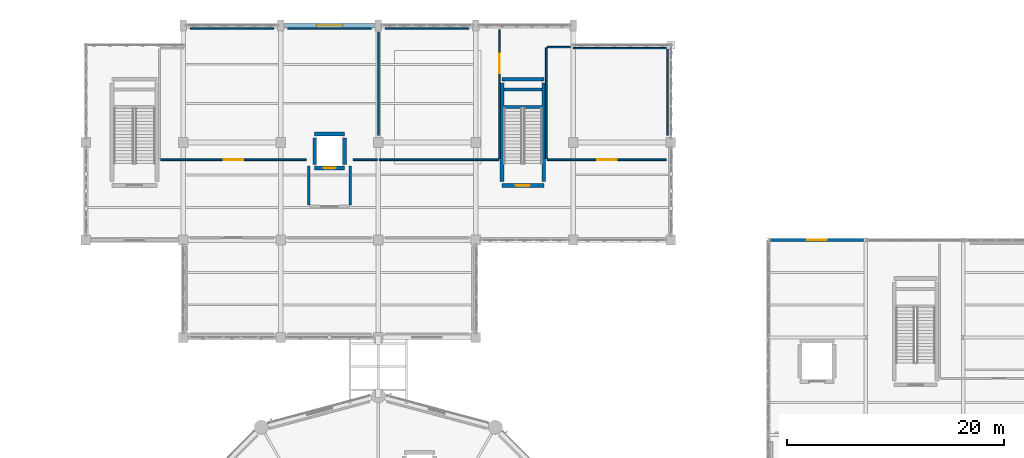
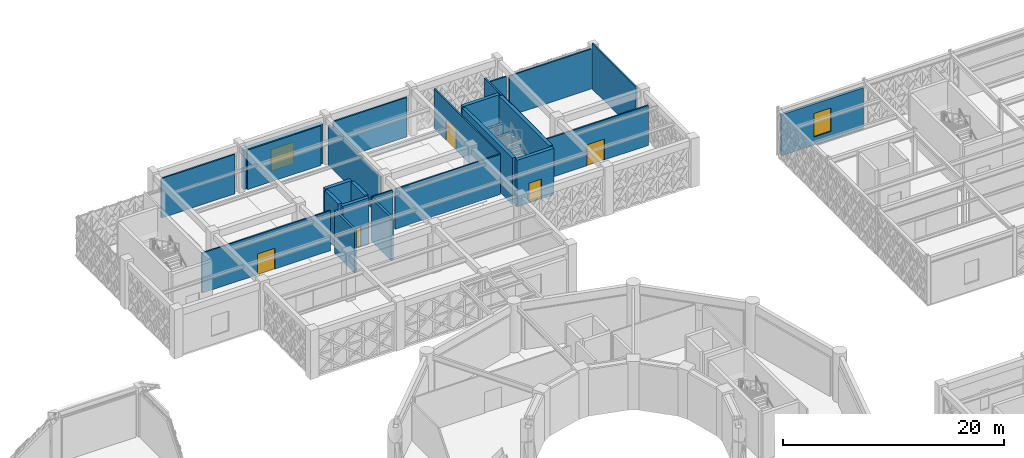
# One storey, part 145 of 166: 27 walls, 5 doors, 2 windows, 7 openings.
"""IFC4 building model written with IfcOpenShell, lengths in metres."""

from ifc_helpers import new_model, si_unit, direction, frame, frame_2d, origin, place, context, subcontext, project, spatial, rectangle, extrude, material, layer, layer_set, type_object, element, fill, save


model = new_model("IFC4")

# Units and contexts
model_context = context("Model", 3, precision=1e-05, world=origin(), true_north=direction((0.0, 1.0)))
body_context = subcontext(model_context, "Body", "Model", "MODEL_VIEW")
ifc_project = project(units=[si_unit("LENGTHUNIT", "METRE"), si_unit("AREAUNIT", "SQUARE_METRE"), si_unit("VOLUMEUNIT", "CUBIC_METRE"), si_unit("PLANEANGLEUNIT", "RADIAN"), si_unit("MASSUNIT", "GRAM", prefix="KILO")], contexts=[model_context])

# Site, building, storey
site_placement = place(None, origin())
site = spatial("IfcSite", under=ifc_project, at=site_placement, CompositionType="ELEMENT")
building_placement = place(site_placement, origin())
building = spatial("IfcBuilding", under=site, at=building_placement, Name="Haizhuo Lancet Aquarium", CompositionType="ELEMENT")
storey_placement = place(building_placement, frame((0.0, 0.0, 5.39990234375)))
storey = spatial("IfcBuildingStorey", under=building, at=storey_placement, Name="L01", CompositionType="ELEMENT", Elevation=5.39990234375)

# Wall, opening, window
ifc_material_1 = material(Name="Shandong Grey Limestone Ashlar", Category="masonry")
ifc_layer_1 = layer(ifc_material_1, 0.280029296875)
ifc_layer_set_1 = layer_set([ifc_layer_1], Name="Shandong Grey Limestone Ashlar")
wall_type_1 = type_object("IfcWallType", Name="EWL-ASH-280", PredefinedType="SOLIDWALL", material=ifc_layer_set_1)
wall_1_placement = place(storey_placement, frame((36.219970703125, 36.0, 0.0), z_axis=(0.0, 0.0, 1.0), x_axis=(1.0, 0.0, 0.0)))
wall_1 = element("IfcWall", 1, at=wall_1_placement, inside=storey, type_object=wall_type_1, Name="L01 V7 limestone facade wall 110", PredefinedType="SOLIDWALL", context=body_context, shape_type="SweptSolid", body=[
    extrude(rectangle(XDim=8.56005859375, YDim=0.280029296875, at=frame_2d((4.280029296875, 0.0))), origin(), (0.0, 0.0, 1.0), 4.537109375),
])
opening_1_placement = place(wall_1_placement, frame((3.3798828125, 0.0, 0.89990234375)))
opening_1 = element("IfcOpeningElement", 2, at=opening_1_placement, cuts=wall_1, Name="Opening WN-05", PredefinedType="OPENING", context=body_context, shape_type="SweptSolid", body=[
    extrude(rectangle(XDim=1.800048828125, YDim=2.60009765625, at=frame_2d((0.89990234375, 1.300048828125))), frame((0.0, 0.14990234375, 0.0), z_axis=(0.0, -1.0, 0.0), x_axis=(1.0, 0.0, 0.0)), (0.0, 0.0, 1.0), 0.300029),
])
ifc_material_2 = material(Name="Laminated Low-E Glass", Category="glass")
window_type_1 = type_object("IfcWindowType", Name="WIN-LAN-1800x2600", PartitioningType="SINGLE_PANEL", PredefinedType="WINDOW", material=ifc_material_2)
window_1_placement = place(opening_1_placement, origin())
window_1 = element("IfcWindow", 3, at=window_1_placement, inside=storey, type_object=window_type_1, Name="L01 V7 lancet window 83", OverallHeight=2.60009765625, OverallWidth=1.800048828125, PartitioningType="SINGLE_PANEL", PredefinedType="WINDOW", context=body_context, shape_type="SweptSolid", body=[
    extrude(rectangle(XDim=1.800048828125, YDim=2.60009765625, at=frame_2d((0.89990234375, 1.300048828125))), frame((0.0, 0.030029296875, 0.0), z_axis=(0.0, -1.0, 0.0), x_axis=(1.0, 0.0, 0.0)), (0.0, 0.0, 1.0), 0.06005859375),
])
fill(opening_1, window_1)

ifc_layer_2 = layer(ifc_material_1, 0.449951171875)
ifc_layer_set_2 = layer_set([ifc_layer_2], Name="Shandong Grey Limestone Ashlar")
wall_type_2 = type_object("IfcWallType", Name="EWL-ASH-450", PredefinedType="SOLIDWALL", material=ifc_layer_set_2)
wall_2_placement = place(storey_placement, frame((-8.655029296875, 55.800048828125, 0.0), z_axis=(0.0, 0.0, 1.0), x_axis=(1.0, 0.0, 0.0)))
wall_2 = element("IfcWall", 4, at=wall_2_placement, inside=storey, type_object=wall_type_2, Name="L01 V5 limestone facade wall 91", PredefinedType="SOLIDWALL", context=body_context, shape_type="SweptSolid", body=[
    extrude(rectangle(XDim=8.31005859375, YDim=0.449951171875, at=frame_2d((4.155029296875, 0.0))), origin(), (0.0, 0.0, 1.0), 4.375),
])
opening_2_placement = place(wall_2_placement, frame((2.955078125, 0.0, 0.89990234375)))
opening_2 = element("IfcOpeningElement", 5, at=opening_2_placement, cuts=wall_2, Name="Opening WN-08", PredefinedType="OPENING", context=body_context, shape_type="SweptSolid", body=[
    extrude(rectangle(XDim=2.39990234375, YDim=2.39990234375, at=frame_2d((1.199951171875, 1.199951171875))), frame((0.0, 0.23486328125, 0.0), z_axis=(0.0, -1.0, 0.0), x_axis=(1.0, 0.0, 0.0)), (0.0, 0.0, 1.0), 0.469951),
])
window_type_2 = type_object("IfcWindowType", Name="WIN-LAN-2400x2400", PartitioningType="SINGLE_PANEL", PredefinedType="WINDOW", material=ifc_material_2)
window_2_placement = place(opening_2_placement, origin())
window_2 = element("IfcWindow", 6, at=window_2_placement, inside=storey, type_object=window_type_2, Name="L01 V5 lancet window 69", OverallHeight=2.39990234375, OverallWidth=2.39990234375, PartitioningType="SINGLE_PANEL", PredefinedType="WINDOW", context=body_context, shape_type="SweptSolid", body=[
    extrude(rectangle(XDim=2.39990234375, YDim=2.39990234375, at=frame_2d((1.199951171875, 1.199951171875))), frame((0.0, 0.030029296875, 0.0), z_axis=(0.0, -1.0, 0.0), x_axis=(1.0, 0.0, 0.0)), (0.0, 0.0, 1.0), 0.06005859375),
])
fill(opening_2, window_2)

# Walls
ifc_material_3 = material(Name="Concrete C40/50", Category="concrete")
ifc_layer_3 = layer(ifc_material_3, 0.239990234375)
ifc_layer_set_3 = layer_set([ifc_layer_3], Name="Concrete C40/50")
wall_type_3 = type_object("IfcWallType", Name="IWL-FIRE-240", PredefinedType="PARTITIONING", material=ifc_layer_set_3)
for number, where, z_axis, x_axis, name in (
    (7, (-6.419921875, 39.199951171875, 0.0), (0.0, 0.0, 1.0), (0.0, 1.0, 0.0), "L01 LF-02 protected lift lobby firewall W"),
    (8, (-2.580078125, 39.199951171875, 0.0), (0.0, 0.0, 1.0), (0.0, 1.0, 0.0), "L01 LF-02 protected lift lobby firewall E"),
):
    element("IfcWall", number, at=place(storey_placement, frame(where, z_axis=z_axis, x_axis=x_axis)), inside=storey, type_object=wall_type_3, Name=name, PredefinedType="PARTITIONING", context=body_context, shape_type="SweptSolid", body=[
        extrude(rectangle(XDim=3.60009765625, YDim=0.239990234375, at=frame_2d((1.800048828125, 0.0))), origin(), (0.0, 0.0, 1.0), 4.72509765625),
    ])

# Wall, opening, door
ifc_material_4 = material(Name="Gypsum Fireboard Partition")
ifc_layer_4 = layer(ifc_material_4, 0.14990234375)
ifc_layer_set_4 = layer_set([ifc_layer_4], Name="Gypsum Fireboard Partition")
wall_type_4 = type_object("IfcWallType", Name="IWL-STD-150", PredefinedType="PARTITIONING", material=ifc_layer_set_4)
wall_3_placement = place(storey_placement, frame((-20.10009765625, 43.39990234375, 0.0), z_axis=(0.0, 0.0, 1.0), x_axis=(0.999999986606, 0.000163669095, 0.0)))
wall_3 = element("IfcWall", 9, at=wall_3_placement, inside=storey, type_object=wall_type_4, Name="L01 partition wall 284", PredefinedType="PARTITIONING", context=body_context, shape_type="SweptSolid", body=[
    extrude(rectangle(XDim=13.425048828125, YDim=0.14990234375, at=frame_2d((6.71240234375, 0.0))), origin(), (0.0, 0.0, 1.0), 4.425048828125),
])
opening_3_placement = place(wall_3_placement, frame((5.81298828125, 0.0, 0.0)))
opening_3 = element("IfcOpeningElement", 10, at=opening_3_placement, cuts=wall_3, Name="Opening D-02", PredefinedType="OPENING", context=body_context, shape_type="SweptSolid", body=[
    extrude(rectangle(XDim=1.800048828125, YDim=2.300048828125, at=frame_2d((0.89990234375, 1.14990234375))), frame((0.0, 0.0849609375, 0.0), z_axis=(0.0, -1.0, 0.0), x_axis=(1.0, 0.0, 0.0)), (0.0, 0.0, 1.0), 0.169902),
])
ifc_material_5 = material(Name="Aluminium 6063-T6", Category="aluminium")
door_type_1 = type_object("IfcDoorType", Name="IDR-GAL-1800x2300", OperationType="NOTDEFINED", PredefinedType="DOOR", material=ifc_material_5)
door_1_placement = place(opening_3_placement, origin())
door_1 = element("IfcDoor", 11, at=door_1_placement, inside=storey, type_object=door_type_1, Name="L01 Temperate Kelp Exhibit Gallery door", OperationType="DOUBLE_DOOR_SINGLE_SWING", OverallHeight=2.300048828125, OverallWidth=1.800048828125, PredefinedType="DOOR", context=body_context, shape_type="SweptSolid", body=[
    extrude(rectangle(XDim=1.800048828125, YDim=2.300048828125, at=frame_2d((0.89990234375, 1.14990234375))), frame((0.0, 0.02490234375, 0.0), z_axis=(0.0, -1.0, 0.0), x_axis=(1.0, 0.0, 0.0)), (0.0, 0.0, 1.0), 0.050048828125),
])
fill(opening_3, door_1)

# Walls
wall_4_placement = place(storey_placement, frame((-2.324951171875, 43.39990234375, 0.0), z_axis=(0.0, 0.0, 1.0), x_axis=(1.0, 0.0, 0.0)))
element("IfcWall", 12, at=wall_4_placement, inside=storey, type_object=wall_type_4, Name="L01 partition wall 285", PredefinedType="PARTITIONING", context=body_context, shape_type="SweptSolid", body=[
    extrude(rectangle(XDim=2.224853515625, YDim=0.14990234375, at=frame_2d((1.1123046875, 0.0))), origin(), (0.0, 0.0, 1.0), 4.425048828125),
])
wall_5_placement = place(storey_placement, frame((0.0, 45.64990234375, 0.0), z_axis=(0.0, 0.0, 1.0), x_axis=(0.0, 1.0, 0.0)))
element("IfcWall", 13, at=wall_5_placement, inside=storey, type_object=wall_type_4, Name="L01 partition wall 286", PredefinedType="PARTITIONING", context=body_context, shape_type="SweptSolid", body=[
    extrude(rectangle(XDim=9.5, YDim=0.14990234375, at=frame_2d((4.75, 0.0))), origin(), (0.0, 0.0, 1.0), 4.425048828125),
])
wall_6_placement = place(storey_placement, frame((-0.64990234375, 55.5, 0.0), z_axis=(0.0, 0.0, 1.0), x_axis=(-1.0, 0.0, 0.0)))
element("IfcWall", 14, at=wall_6_placement, inside=storey, type_object=wall_type_4, Name="L01 partition wall 287", PredefinedType="PARTITIONING", context=body_context, shape_type="SweptSolid", body=[
    extrude(rectangle(XDim=7.7001953125, YDim=0.14990234375, at=frame_2d((3.85009765625, 0.0))), origin(), (0.0, 0.0, 1.0), 4.375),
])
wall_7_placement = place(storey_placement, frame((-9.64990234375, 55.5, 0.0), z_axis=(0.0, 0.0, 1.0), x_axis=(-1.0, 0.0, 0.0)))
element("IfcWall", 15, at=wall_7_placement, inside=storey, type_object=wall_type_4, Name="L01 partition wall 288", PredefinedType="PARTITIONING", context=body_context, shape_type="SweptSolid", body=[
    extrude(rectangle(XDim=7.710205078125, YDim=0.14990234375, at=frame_2d((3.85498046875, 0.0))), origin(), (0.0, 0.0, 1.0), 4.375),
])
wall_8_placement = place(storey_placement, frame((0.10009765625, 43.39990234375, 0.0), z_axis=(0.0, 0.0, 1.0), x_axis=(1.0, 0.0, 0.0)))
element("IfcWall", 16, at=wall_8_placement, inside=storey, type_object=wall_type_4, Name="L01 partition wall 290", PredefinedType="PARTITIONING", context=body_context, shape_type="SweptSolid", body=[
    extrude(rectangle(XDim=11.0, YDim=0.14990234375, at=frame_2d((5.5, 0.0))), origin(), (0.0, 0.0, 1.0), 4.425048828125),
])

# Wall, opening, door
wall_9_placement = place(storey_placement, frame((11.199951171875, 43.5, 0.0), z_axis=(0.0, 0.0, 1.0), x_axis=(0.0, 1.0, 0.0)))
wall_9 = element("IfcWall", 17, at=wall_9_placement, inside=storey, type_object=wall_type_4, Name="L01 partition wall 291", PredefinedType="PARTITIONING", context=body_context, shape_type="SweptSolid", body=[
    extrude(rectangle(XDim=11.89990234375, YDim=0.14990234375, at=frame_2d((5.949951171875, 0.0))), origin(), (0.0, 0.0, 1.0), 4.375),
])
opening_4_placement = place(wall_9_placement, frame((7.906005859375, 0.0, 0.0)))
opening_4 = element("IfcOpeningElement", 18, at=opening_4_placement, cuts=wall_9, Name="Opening D-02", PredefinedType="OPENING", context=body_context, shape_type="SweptSolid", body=[
    extrude(rectangle(XDim=1.800048828125, YDim=2.300048828125, at=frame_2d((0.89990234375, 1.14990234375))), frame((0.0, 0.0849609375, 0.0), z_axis=(0.0, -1.0, 0.0), x_axis=(1.0, 0.0, 0.0)), (0.0, 0.0, 1.0), 0.169902),
])
door_2_placement = place(opening_4_placement, origin())
door_2 = element("IfcDoor", 19, at=door_2_placement, inside=storey, type_object=door_type_1, Name="L01 Coastal Wetland Exhibit Gallery door", OperationType="DOUBLE_DOOR_SINGLE_SWING", OverallHeight=2.300048828125, OverallWidth=1.800048828125, PredefinedType="DOOR", context=body_context, shape_type="SweptSolid", body=[
    extrude(rectangle(XDim=1.800048828125, YDim=2.300048828125, at=frame_2d((0.89990234375, 1.14990234375))), frame((0.0, 0.02490234375, 0.0), z_axis=(0.0, -1.0, 0.0), x_axis=(1.0, 0.0, 0.0)), (0.0, 0.0, 1.0), 0.050048828125),
])
fill(opening_4, door_2)

# Walls
wall_10_placement = place(storey_placement, frame((8.35009765625, 55.5, 0.0), z_axis=(0.0, 0.0, 1.0), x_axis=(-1.0, 0.0, 0.0)))
element("IfcWall", 20, at=wall_10_placement, inside=storey, type_object=wall_type_4, Name="L01 partition wall 292", PredefinedType="PARTITIONING", context=body_context, shape_type="SweptSolid", body=[
    extrude(rectangle(XDim=7.7001953125, YDim=0.14990234375, at=frame_2d((3.85009765625, 0.0))), origin(), (0.0, 0.0, 1.0), 4.375),
])
wall_11_placement = place(storey_placement, frame((15.501953125, 53.719970703125, 0.0), z_axis=(0.0, 0.0, 1.0), x_axis=(-0.000191108666, -0.999999981739, 0.0)))
element("IfcWall", 21, at=wall_11_placement, inside=storey, type_object=wall_type_4, Name="L01 partition wall 293", PredefinedType="PARTITIONING", context=body_context, shape_type="SweptSolid", body=[
    extrude(rectangle(XDim=10.219970703125, YDim=0.14990234375, at=frame_2d((5.10986328125, 0.0))), origin(), (0.0, 0.0, 1.0), 5.050048828125),
])

# Wall, opening, door
wall_12_placement = place(storey_placement, frame((15.60009765625, 43.39990234375, 0.0), z_axis=(0.0, 0.0, 1.0), x_axis=(1.0, 0.0, 0.0)))
wall_12 = element("IfcWall", 22, at=wall_12_placement, inside=storey, type_object=wall_type_4, Name="L01 partition wall 294", PredefinedType="PARTITIONING", context=body_context, shape_type="SweptSolid", body=[
    extrude(rectangle(XDim=11.0, YDim=0.14990234375, at=frame_2d((5.5, 0.0))), origin(), (0.0, 0.0, 1.0), 4.425048828125),
])
opening_5_placement = place(wall_12_placement, frame((4.60009765625, 0.0, 0.0)))
opening_5 = element("IfcOpeningElement", 23, at=opening_5_placement, cuts=wall_12, Name="Opening D-02", PredefinedType="OPENING", context=body_context, shape_type="SweptSolid", body=[
    extrude(rectangle(XDim=1.800048828125, YDim=2.300048828125, at=frame_2d((0.89990234375, 1.14990234375))), frame((0.0, 0.0849609375, 0.0), z_axis=(0.0, -1.0, 0.0), x_axis=(1.0, 0.0, 0.0)), (0.0, 0.0, 1.0), 0.169902),
])
door_3_placement = place(opening_5_placement, origin())
door_3 = element("IfcDoor", 24, at=door_3_placement, inside=storey, type_object=door_type_1, Name="L01 Pinniped Underwater Exhibit Gallery door", OperationType="DOUBLE_DOOR_SINGLE_SWING", OverallHeight=2.300048828125, OverallWidth=1.800048828125, PredefinedType="DOOR", context=body_context, shape_type="SweptSolid", body=[
    extrude(rectangle(XDim=1.800048828125, YDim=2.300048828125, at=frame_2d((0.89990234375, 1.14990234375))), frame((0.0, 0.02490234375, 0.0), z_axis=(0.0, -1.0, 0.0), x_axis=(1.0, 0.0, 0.0)), (0.0, 0.0, 1.0), 0.050048828125),
])
fill(opening_5, door_3)

# Walls
wall_13_placement = place(storey_placement, frame((26.699951171875, 45.64990234375, 0.0), z_axis=(0.0, 0.0, 1.0), x_axis=(0.0, 1.0, 0.0)))
element("IfcWall", 25, at=wall_13_placement, inside=storey, type_object=wall_type_4, Name="L01 partition wall 295", PredefinedType="PARTITIONING", context=body_context, shape_type="SweptSolid", body=[
    extrude(rectangle(XDim=7.9501953125, YDim=0.14990234375, at=frame_2d((3.97509765625, 0.0))), origin(), (0.0, 0.0, 1.0), 5.050048828125),
])
wall_14_placement = place(storey_placement, frame((26.60009765625, 53.699951171875, 0.0), z_axis=(0.0, 0.0, 1.0), x_axis=(-1.0, 0.0, 0.0)))
element("IfcWall", 26, at=wall_14_placement, inside=storey, type_object=wall_type_4, Name="L01 partition wall 296", PredefinedType="PARTITIONING", context=body_context, shape_type="SweptSolid", body=[
    extrude(rectangle(XDim=8.59912109375, YDim=0.14990234375, at=frame_2d((4.299560546875, 0.0))), origin(), (0.0, 0.0, 1.0), 4.425048828125),
])
wall_15_placement = place(storey_placement, frame((17.736083984375, 53.800048828125, 0.0), z_axis=(0.0, 0.0, 1.0), x_axis=(-1.0, 0.0, 0.0)))
element("IfcWall", 27, at=wall_15_placement, inside=storey, type_object=wall_type_4, Name="L01 partition wall 297", PredefinedType="PARTITIONING", context=body_context, shape_type="SweptSolid", body=[
    extrude(rectangle(XDim=2.135986328125, YDim=0.14990234375, at=frame_2d((1.06787109375, 0.0))), origin(), (0.0, 0.0, 1.0), 4.425048828125),
])
ifc_layer_5 = layer(ifc_material_3, 0.35009765625)
ifc_layer_set_5 = layer_set([ifc_layer_5], Name="Concrete C40/50")
wall_type_5 = type_object("IfcWallType", Name="WL-CORE-350", PredefinedType="SHEAR", material=ifc_layer_set_5)
for number, where, z_axis, x_axis, name in (
    (28, (11.60009765625, 48.27490234375, 0.0), (0.0, 0.0, 1.0), (1.0, 0.0, 0.0), "L01 ST-08 landing support wall"),
    (29, (11.60009765625, 49.875, 0.0), (0.0, 0.0, 1.0), (1.0, 0.0, 0.0), "L01 ST-08 far landing support wall"),
):
    element("IfcWall", number, at=place(storey_placement, frame(where, z_axis=z_axis, x_axis=x_axis)), inside=storey, type_object=wall_type_5, Name=name, PredefinedType="SHEAR", context=body_context, shape_type="SweptSolid", body=[
        extrude(rectangle(XDim=3.5, YDim=0.25, at=frame_2d((1.75, 0.0))), origin(), (0.0, 0.0, 1.0), 2.5),
    ])

# Wall, opening, door
wall_16_placement = place(storey_placement, frame((11.425048828125, 41.02490234375, 0.0), z_axis=(0.0, 0.0, 1.0), x_axis=(1.0, 0.0, 0.0)))
wall_16 = element("IfcWall", 30, at=wall_16_placement, inside=storey, type_object=wall_type_5, Name="L01 ST-08 core shear wall S", PredefinedType="SHEAR", context=body_context, shape_type="SweptSolid", body=[
    extrude(rectangle(XDim=3.849853515625, YDim=0.35009765625, at=frame_2d((1.9248046875, 0.0))), origin(), (0.0, 0.0, 1.0), 5.150146484375),
])
opening_6_placement = place(wall_16_placement, frame((1.27490234375, 0.0, 0.0)))
opening_6 = element("IfcOpeningElement", 31, at=opening_6_placement, cuts=wall_16, Name="Opening FD-02", PredefinedType="OPENING", context=body_context, shape_type="SweptSolid", body=[
    extrude(rectangle(XDim=1.300048828125, YDim=2.199951171875, at=frame_2d((0.64990234375, 1.10009765625))), frame((0.0, 0.18505859375, 0.0), z_axis=(0.0, -1.0, 0.0), x_axis=(1.0, 0.0, 0.0)), (0.0, 0.0, 1.0), 0.370098),
])
ifc_material_6 = material(Name="Steel S355", Category="steel")
door_type_2 = type_object("IfcDoorType", Name="IDR-STAIR-1300x2200", OperationType="NOTDEFINED", PredefinedType="DOOR", material=ifc_material_6)
door_4_placement = place(opening_6_placement, origin())
door_4 = element("IfcDoor", 32, at=door_4_placement, inside=storey, type_object=door_type_2, Name="L01 ST-08 stairwell fire door", OperationType="SINGLE_SWING_LEFT", OverallHeight=2.199951171875, OverallWidth=1.300048828125, PredefinedType="DOOR", context=body_context, shape_type="SweptSolid", body=[
    extrude(rectangle(XDim=1.300048828125, YDim=2.199951171875, at=frame_2d((0.64990234375, 1.10009765625))), frame((0.0, 0.02490234375, 0.0), z_axis=(0.0, -1.0, 0.0), x_axis=(1.0, 0.0, 0.0)), (0.0, 0.0, 1.0), 0.050048828125),
])
fill(opening_6, door_4)

# Walls
wall_17_placement = place(storey_placement, frame((11.425048828125, 50.824951171875, 0.0), z_axis=(0.0, 0.0, 1.0), x_axis=(1.0, 0.0, 0.0)))
element("IfcWall", 33, at=wall_17_placement, inside=storey, type_object=wall_type_5, Name="L01 ST-08 core shear wall N", PredefinedType="SHEAR", context=body_context, shape_type="SweptSolid", body=[
    extrude(rectangle(XDim=3.849853515625, YDim=0.35009765625, at=frame_2d((1.9248046875, 0.0))), origin(), (0.0, 0.0, 1.0), 5.150146484375),
])
for number, where, z_axis, x_axis, name in (
    (34, (11.425048828125, 41.375, 0.0), (0.0, 0.0, 1.0), (0.0, 1.0, 0.0), "L01 ST-08 core shear wall W"),
    (35, (15.27490234375, 41.375, 0.0), (0.0, 0.0, 1.0), (0.0, 1.0, 0.0), "L01 ST-08 core shear wall E"),
):
    element("IfcWall", number, at=place(storey_placement, frame(where, z_axis=z_axis, x_axis=x_axis)), inside=storey, type_object=wall_type_5, Name=name, PredefinedType="SHEAR", context=body_context, shape_type="SweptSolid", body=[
        extrude(rectangle(XDim=9.10009765625, YDim=0.35009765625, at=frame_2d((4.550048828125, 0.0))), origin(), (0.0, 0.0, 1.0), 5.150146484375),
    ])

# Wall, opening, door
wall_18_placement = place(storey_placement, frame((-5.875, 42.625, 0.0), z_axis=(0.0, 0.0, 1.0), x_axis=(1.0, 0.0, 0.0)))
wall_18 = element("IfcWall", 36, at=wall_18_placement, inside=storey, type_object=wall_type_5, Name="L01 LF-02 lift shaft wall -Y", PredefinedType="SHEAR", context=body_context, shape_type="SweptSolid", body=[
    extrude(rectangle(XDim=2.75, YDim=0.35009765625, at=frame_2d((1.375, 0.0))), origin(), (0.0, 0.0, 1.0), 5.150146484375),
])
opening_7_placement = place(wall_18_placement, frame((0.824951171875, 0.0, 0.0)))
opening_7 = element("IfcOpeningElement", 37, at=opening_7_placement, cuts=wall_18, Name="Opening LD-01", PredefinedType="OPENING", context=body_context, shape_type="SweptSolid", body=[
    extrude(rectangle(XDim=1.10009765625, YDim=2.199951171875, at=frame_2d((0.550048828125, 1.10009765625))), frame((0.0, 0.18505859375, 0.0), z_axis=(0.0, -1.0, 0.0), x_axis=(1.0, 0.0, 0.0)), (0.0, 0.0, 1.0), 0.370098),
])
door_type_3 = type_object("IfcDoorType", Name="IDR-LIFT-1100x2200", OperationType="NOTDEFINED", PredefinedType="DOOR", material=ifc_material_6)
door_5_placement = place(opening_7_placement, origin())
door_5 = element("IfcDoor", 38, at=door_5_placement, inside=storey, type_object=door_type_3, Name="L01 LF-02 sliding lift landing door", OperationType="DOUBLE_DOOR_SLIDING", OverallHeight=2.199951171875, OverallWidth=1.10009765625, PredefinedType="DOOR", context=body_context, shape_type="SweptSolid", body=[
    extrude(rectangle(XDim=1.10009765625, YDim=2.199951171875, at=frame_2d((0.550048828125, 1.10009765625))), frame((0.0, 0.02490234375, 0.0), z_axis=(0.0, -1.0, 0.0), x_axis=(1.0, 0.0, 0.0)), (0.0, 0.0, 1.0), 0.050048828125),
])
fill(opening_7, door_5)

# Walls
wall_19_placement = place(storey_placement, frame((-3.125, 45.77490234375, 0.0), z_axis=(0.0, 0.0, 1.0), x_axis=(-1.0, 0.0, 0.0)))
element("IfcWall", 39, at=wall_19_placement, inside=storey, type_object=wall_type_5, Name="L01 LF-02 lift shaft wall +Y", PredefinedType="SHEAR", context=body_context, shape_type="SweptSolid", body=[
    extrude(rectangle(XDim=2.75, YDim=0.35009765625, at=frame_2d((1.375, 0.0))), origin(), (0.0, 0.0, 1.0), 5.150146484375),
])
for number, where, z_axis, x_axis, name in (
    (40, (-5.875, 42.97509765625, 0.0), (0.0, 0.0, 1.0), (0.0, 1.0, 0.0), "L01 LF-02 lift shaft wall -X"),
    (41, (-3.125, 42.97509765625, 0.0), (0.0, 0.0, 1.0), (0.0, 1.0, 0.0), "L01 LF-02 lift shaft wall +X"),
):
    element("IfcWall", number, at=place(storey_placement, frame(where, z_axis=z_axis, x_axis=x_axis)), inside=storey, type_object=wall_type_5, Name=name, PredefinedType="SHEAR", context=body_context, shape_type="SweptSolid", body=[
        extrude(rectangle(XDim=2.449951171875, YDim=0.35009765625, at=frame_2d((1.22509765625, 0.0))), origin(), (0.0, 0.0, 1.0), 5.150146484375),
    ])

save(model, "model.ifc")
